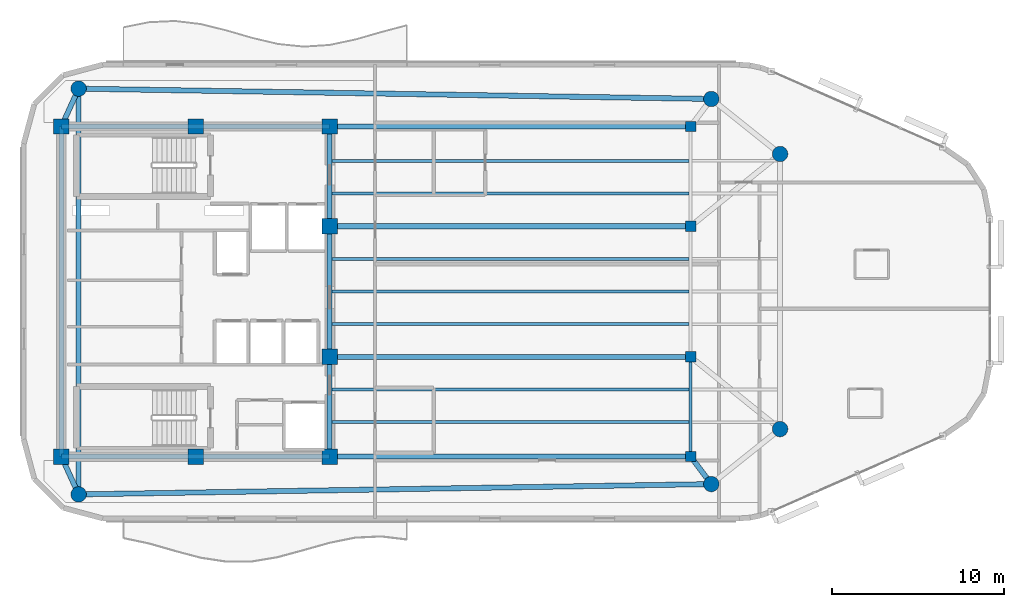
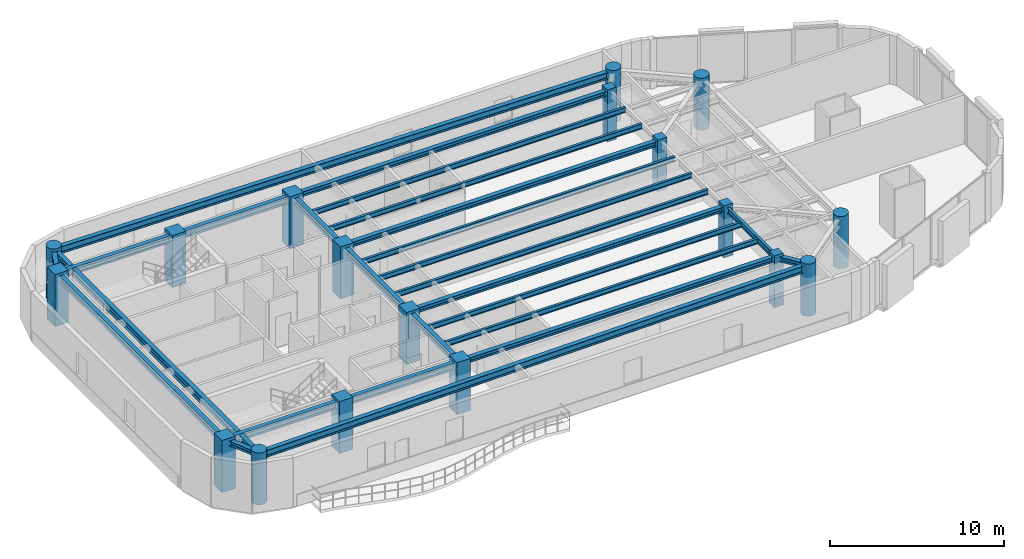
# One storey, part 1 of 12: 24 beams, 18 columns.
"""IFC4 building model written with IfcOpenShell, lengths in metres."""

from ifc_helpers import new_model, si_unit, direction, frame, origin, origin_2d, place, context, subcontext, project, spatial, rectangle, circle, i_section, extrude, material, material_profile, profile_set, type_object, element, save


model = new_model("IFC4")

# Units and contexts
model_context = context("Model", 3, precision=1e-05, world=origin(), true_north=direction((0.0, 1.0)))
body_context = subcontext(model_context, "Body", "Model", "MODEL_VIEW")
ifc_project = project(units=[si_unit("LENGTHUNIT", "METRE"), si_unit("AREAUNIT", "SQUARE_METRE"), si_unit("VOLUMEUNIT", "CUBIC_METRE"), si_unit("PLANEANGLEUNIT", "RADIAN"), si_unit("MASSUNIT", "GRAM", prefix="KILO")], contexts=[model_context])

# Site, building, storey
site_placement = place(None, origin())
site = spatial("IfcSite", under=ifc_project, at=site_placement, CompositionType="ELEMENT")
building_placement = place(site_placement, origin())
building = spatial("IfcBuilding", under=site, at=building_placement, Name="An Khanh Terracotta Commons", CompositionType="ELEMENT")
storey_placement = place(building_placement, frame((0.0, 0.0, 262.449951171875)))
storey = spatial("IfcBuildingStorey", under=building, at=storey_placement, Name="L68", CompositionType="ELEMENT", Elevation=262.449951171875)

# Columns
ifc_material_1 = material(Name="Concrete C50/60", Category="concrete")
ifc_material_profile_1 = material_profile(ifc_material_1, circle(Radius=0.449951171875, at=origin_2d()), Name="CFST900")
ifc_profile_set_1 = profile_set([ifc_material_profile_1], Name="Concrete C50/60")
column_type_1 = type_object("IfcColumnType", Name="COL-CFST900", PredefinedType="COLUMN", material=ifc_profile_set_1)
for number, where, z_axis, x_axis, name in (
    (1, (22.60009765625, 12.199951171875, 0.0), (0.0, 0.0, 1.0), (1.0, 0.0, 0.0), "L68 Perimeter CFST Mega-Column MC-01"),
    (2, (59.39990234375, 12.800048828125, 0.0), (0.0, 0.0, 1.0), (1.0, 0.0, 0.0), "L68 Perimeter CFST Mega-Column MC-02"),
    (3, (63.39990234375, 16.0, 0.0), (0.0, 0.0, 1.0), (1.0, 0.0, 0.0), "L68 Perimeter CFST Mega-Column MC-03"),
    (4, (63.39990234375, 32.0, 0.0), (0.0, 0.0, 1.0), (1.0, 0.0, 0.0), "L68 Perimeter CFST Mega-Column MC-04"),
    (5, (59.39990234375, 35.199951171875, 0.0), (0.0, 0.0, 1.0), (1.0, 0.0, 0.0), "L68 Perimeter CFST Mega-Column MC-05"),
    (6, (22.60009765625, 35.800048828125, 0.0), (0.0, 0.0, 1.0), (1.0, 0.0, 0.0), "L68 Perimeter CFST Mega-Column MC-06"),
):
    element("IfcColumn", number, at=place(storey_placement, frame(where, z_axis=z_axis, x_axis=x_axis)), inside=storey, type_object=column_type_1, Name=name, PredefinedType="COLUMN", context=body_context, shape_type="SweptSolid", body=[
        extrude(circle(Radius=0.449951171875, at=origin_2d()), origin(), (0.0, 0.0, 1.0), 3.650146484375),
    ])
ifc_material_profile_2 = material_profile(ifc_material_1, rectangle(XDim=0.60009765625, YDim=0.60009765625, at=origin_2d()), Name="RC600x600")
ifc_profile_set_2 = profile_set([ifc_material_profile_2], Name="Concrete C50/60")
column_type_2 = type_object("IfcColumnType", Name="COL-RC600x600", PredefinedType="COLUMN", material=ifc_profile_set_2)
for number, where, z_axis, x_axis, name in (
    (7, (58.199951171875, 14.39990234375, 0.0), (0.0, 0.0, 1.0), (1.0, 0.0, 0.0), "L68 Interior Frame Column TC-01"),
    (8, (58.199951171875, 20.199951171875, 0.0), (0.0, 0.0, 1.0), (1.0, 0.0, 0.0), "L68 Interior Frame Column TC-02"),
    (9, (58.199951171875, 27.800048828125, 0.0), (0.0, 0.0, 1.0), (1.0, 0.0, 0.0), "L68 Interior Frame Column TC-03"),
    (10, (58.199951171875, 33.60009765625, 0.0), (0.0, 0.0, 1.0), (1.0, 0.0, 0.0), "L68 Interior Frame Column TC-04"),
):
    element("IfcColumn", number, at=place(storey_placement, frame(where, z_axis=z_axis, x_axis=x_axis)), inside=storey, type_object=column_type_2, Name=name, PredefinedType="COLUMN", context=body_context, shape_type="SweptSolid", body=[
        extrude(rectangle(XDim=0.60009765625, YDim=0.60009765625, at=origin_2d()), origin(), (0.0, 0.0, 1.0), 3.650146484375),
    ])
ifc_material_profile_3 = material_profile(ifc_material_1, rectangle(XDim=0.89990234375, YDim=0.89990234375, at=origin_2d()), Name="RC900x900")
ifc_profile_set_3 = profile_set([ifc_material_profile_3], Name="Concrete C50/60")
column_type_3 = type_object("IfcColumnType", Name="COL-RC900x900", PredefinedType="COLUMN", material=ifc_profile_set_3)
for number, where, z_axis, x_axis, name in (
    (11, (21.60009765625, 14.39990234375, 0.0), (0.0, 0.0, 1.0), (1.0, 0.0, 0.0), "L68 Core Boundary Column CC-01"),
    (12, (29.39990234375, 14.39990234375, 0.0), (0.0, 0.0, 1.0), (1.0, 0.0, 0.0), "L68 Core Boundary Column CC-02"),
    (13, (37.199951171875, 14.39990234375, 0.0), (0.0, 0.0, 1.0), (1.0, 0.0, 0.0), "L68 Core Boundary Column CC-03"),
    (14, (37.199951171875, 20.199951171875, 0.0), (0.0, 0.0, 1.0), (1.0, 0.0, 0.0), "L68 Core Boundary Column CC-04"),
    (15, (37.199951171875, 27.800048828125, 0.0), (0.0, 0.0, 1.0), (1.0, 0.0, 0.0), "L68 Core Boundary Column CC-05"),
    (16, (37.199951171875, 33.60009765625, 0.0), (0.0, 0.0, 1.0), (1.0, 0.0, 0.0), "L68 Core Boundary Column CC-06"),
    (17, (29.39990234375, 33.60009765625, 0.0), (0.0, 0.0, 1.0), (1.0, 0.0, 0.0), "L68 Core Boundary Column CC-07"),
    (18, (21.60009765625, 33.60009765625, 0.0), (0.0, 0.0, 1.0), (1.0, 0.0, 0.0), "L68 Core Boundary Column CC-08"),
):
    element("IfcColumn", number, at=place(storey_placement, frame(where, z_axis=z_axis, x_axis=x_axis)), inside=storey, type_object=column_type_3, Name=name, PredefinedType="COLUMN", context=body_context, shape_type="SweptSolid", body=[
        extrude(rectangle(XDim=0.89990234375, YDim=0.89990234375, at=origin_2d()), origin(), (0.0, 0.0, 1.0), 3.650146484375),
    ])

# Beams
ifc_material_2 = material(Name="Steel S355J2", Category="steel")
ifc_material_profile_4 = material_profile(ifc_material_2, i_section(OverallWidth=0.300048828125, OverallDepth=0.340087890625, WebThickness=0.011962890625, FlangeThickness=0.021484375, FilletRadius=0.027099609375, at=origin_2d()), Name="HEB340")
ifc_profile_set_4 = profile_set([ifc_material_profile_4], Name="Steel S355J2")
beam_type_1 = type_object("IfcBeamType", Name="BM-HEB340", PredefinedType="BEAM", material=ifc_profile_set_4)
for number, where, z_axis, x_axis, name in (
    (19, (37.199951171875, 14.39990234375, 3.280029296875), (1.0, 0.0, 0.0), (0.0, 1.0, 0.0), "L68 East Primary Floor Girder 1"),
    (20, (37.199951171875, 20.199951171875, 3.280029296875), (1.0, 0.0, 0.0), (0.0, 1.0, 0.0), "L68 East Primary Floor Girder 2"),
    (21, (37.199951171875, 27.800048828125, 3.280029296875), (1.0, 0.0, 0.0), (0.0, 1.0, 0.0), "L68 East Primary Floor Girder 3"),
    (22, (37.199951171875, 33.60009765625, 3.280029296875), (1.0, 0.0, 0.0), (0.0, 1.0, 0.0), "L68 East Primary Floor Girder 4"),
):
    element("IfcBeam", number, at=place(storey_placement, frame(where, z_axis=z_axis, x_axis=x_axis)), inside=storey, type_object=beam_type_1, Name=name, PredefinedType="BEAM", context=body_context, shape_type="SweptSolid", body=[
        extrude(i_section(OverallWidth=0.300048828125, OverallDepth=0.340087890625, WebThickness=0.011962890625, FlangeThickness=0.021484375, FilletRadius=0.027099609375, at=origin_2d()), origin(), (0.0, 0.0, 1.0), 21.0),
    ])
beam_1_placement = place(storey_placement, frame((22.60009765625, 12.199951171875, 3.280029296875), z_axis=(-0.413810555983, 0.910363017569, 0.0), x_axis=(-0.910363017569, -0.413810555983, 0.0)))
element("IfcBeam", 23, at=beam_1_placement, inside=storey, type_object=beam_type_1, Name="L68 Mega-Column Tie Girder 1", PredefinedType="BEAM", context=body_context, shape_type="SweptSolid", body=[
    extrude(i_section(OverallWidth=0.300048828125, OverallDepth=0.340087890625, WebThickness=0.011962890625, FlangeThickness=0.021484375, FilletRadius=0.027099609375, at=origin_2d()), origin(), (0.0, 0.0, 1.0), 2.41650390625),
])
beam_2_placement = place(storey_placement, frame((59.39990234375, 12.800048828125, 3.280029296875), z_axis=(-0.600019532502, 0.799985350251, 0.0), x_axis=(-0.799985350251, -0.600019532502, 0.0)))
element("IfcBeam", 24, at=beam_2_placement, inside=storey, type_object=beam_type_1, Name="L68 Mega-Column Tie Girder 2", PredefinedType="BEAM", context=body_context, shape_type="SweptSolid", body=[
    extrude(i_section(OverallWidth=0.300048828125, OverallDepth=0.340087890625, WebThickness=0.011962890625, FlangeThickness=0.021484375, FilletRadius=0.027099609375, at=origin_2d()), origin(), (0.0, 0.0, 1.0), 1.999755859375),
])
beam_3_placement = place(storey_placement, frame((22.60009765625, 35.800048828125, 3.280029296875), z_axis=(-0.413810555983, -0.910363017569, 0.0), x_axis=(0.910363017569, -0.413810555983, 0.0)))
element("IfcBeam", 25, at=beam_3_placement, inside=storey, type_object=beam_type_1, Name="L68 Mega-Column Tie Girder 6", PredefinedType="BEAM", context=body_context, shape_type="SweptSolid", body=[
    extrude(i_section(OverallWidth=0.300048828125, OverallDepth=0.340087890625, WebThickness=0.011962890625, FlangeThickness=0.021484375, FilletRadius=0.027099609375, at=origin_2d()), origin(), (0.0, 0.0, 1.0), 2.41650390625),
])
ifc_material_profile_5 = material_profile(ifc_material_2, i_section(OverallWidth=0.300048828125, OverallDepth=0.449951171875, WebThickness=0.013916015625, FlangeThickness=0.02587890625, FilletRadius=0.027099609375, at=origin_2d()), Name="HEB450")
ifc_profile_set_5 = profile_set([ifc_material_profile_5], Name="Steel S355J2")
beam_type_2 = type_object("IfcBeamType", Name="BM-HEB450", PredefinedType="BEAM", material=ifc_profile_set_5)
beam_4_placement = place(storey_placement, frame((37.199951171875, 14.39990234375, 3.22509765625), z_axis=(0.0, 1.0, 0.0), x_axis=(-1.0, 0.0, 0.0)))
element("IfcBeam", 26, at=beam_4_placement, inside=storey, type_object=beam_type_2, Name="L68 Core East Coupling Girder 1", PredefinedType="BEAM", context=body_context, shape_type="SweptSolid", body=[
    extrude(i_section(OverallWidth=0.300048828125, OverallDepth=0.449951171875, WebThickness=0.013916015625, FlangeThickness=0.02587890625, FilletRadius=0.027099609375, at=origin_2d()), origin(), (0.0, 0.0, 1.0), 5.800048828125),
])
beam_5_placement = place(storey_placement, frame((37.199951171875, 20.199951171875, 3.22509765625), z_axis=(0.0, 1.0, 0.0), x_axis=(-1.0, 0.0, 0.0)))
element("IfcBeam", 27, at=beam_5_placement, inside=storey, type_object=beam_type_2, Name="L68 Core East Coupling Girder 2", PredefinedType="BEAM", context=body_context, shape_type="SweptSolid", body=[
    extrude(i_section(OverallWidth=0.300048828125, OverallDepth=0.449951171875, WebThickness=0.013916015625, FlangeThickness=0.02587890625, FilletRadius=0.027099609375, at=origin_2d()), origin(), (0.0, 0.0, 1.0), 7.60009765625),
])
beam_6_placement = place(storey_placement, frame((37.199951171875, 27.800048828125, 3.22509765625), z_axis=(0.0, 1.0, 0.0), x_axis=(-1.0, 0.0, 0.0)))
element("IfcBeam", 28, at=beam_6_placement, inside=storey, type_object=beam_type_2, Name="L68 Core East Coupling Girder 3", PredefinedType="BEAM", context=body_context, shape_type="SweptSolid", body=[
    extrude(i_section(OverallWidth=0.300048828125, OverallDepth=0.449951171875, WebThickness=0.013916015625, FlangeThickness=0.02587890625, FilletRadius=0.027099609375, at=origin_2d()), origin(), (0.0, 0.0, 1.0), 5.800048828125),
])
beam_7_placement = place(storey_placement, frame((21.60009765625, 14.39990234375, 3.22509765625), z_axis=(0.0, 1.0, 0.0), x_axis=(-1.0, 0.0, 0.0)))
element("IfcBeam", 29, at=beam_7_placement, inside=storey, type_object=beam_type_2, Name="L68 Core West Coupling Girder", PredefinedType="BEAM", context=body_context, shape_type="SweptSolid", body=[
    extrude(i_section(OverallWidth=0.300048828125, OverallDepth=0.449951171875, WebThickness=0.013916015625, FlangeThickness=0.02587890625, FilletRadius=0.027099609375, at=origin_2d()), origin(), (0.0, 0.0, 1.0), 19.2001953125),
])
ifc_material_profile_6 = material_profile(ifc_material_2, i_section(OverallWidth=0.300048828125, OverallDepth=0.5, WebThickness=0.014404296875, FlangeThickness=0.028076171875, FilletRadius=0.027099609375, at=origin_2d()), Name="HEB500")
ifc_profile_set_6 = profile_set([ifc_material_profile_6], Name="Steel S355J2")
beam_type_3 = type_object("IfcBeamType", Name="BM-HEB500", PredefinedType="BEAM", material=ifc_profile_set_6)
for number, where, z_axis, x_axis, name in (
    (30, (21.60009765625, 14.39990234375, 3.199951171875), (1.0, 0.0, 0.0), (0.0, 1.0, 0.0), "L68 Core South Coupling Girder"),
    (31, (21.60009765625, 33.60009765625, 3.199951171875), (1.0, 0.0, 0.0), (0.0, 1.0, 0.0), "L68 Core North Coupling Girder"),
):
    element("IfcBeam", number, at=place(storey_placement, frame(where, z_axis=z_axis, x_axis=x_axis)), inside=storey, type_object=beam_type_3, Name=name, PredefinedType="BEAM", context=body_context, shape_type="SweptSolid", body=[
        extrude(i_section(OverallWidth=0.300048828125, OverallDepth=0.5, WebThickness=0.014404296875, FlangeThickness=0.028076171875, FilletRadius=0.027099609375, at=origin_2d()), origin(), (0.0, 0.0, 1.0), 15.599853515625),
    ])
for number, where, z_axis, x_axis, name in (
    (32, (22.60009765625, 12.199951171875, 3.199951171875), (0.999867065951, 0.01630492031, 0.0), (-0.01630492031, 0.999867065951, 0.0), "L68 Perimeter Ring Spandrel 1"),
    (33, (59.39990234375, 35.199951171875, 3.199951171875), (-0.999867065951, 0.01630492031, 0.0), (-0.01630492031, -0.999867065951, 0.0), "L68 Perimeter Ring Spandrel 5"),
):
    element("IfcBeam", number, at=place(storey_placement, frame(where, z_axis=z_axis, x_axis=x_axis)), inside=storey, type_object=beam_type_3, Name=name, PredefinedType="BEAM", context=body_context, shape_type="SweptSolid", body=[
        extrude(i_section(OverallWidth=0.300048828125, OverallDepth=0.5, WebThickness=0.014404296875, FlangeThickness=0.028076171875, FilletRadius=0.027099609375, at=origin_2d()), origin(), (0.0, 0.0, 1.0), 36.8046875),
    ])
beam_8_placement = place(storey_placement, frame((22.60009765625, 35.800048828125, 3.199951171875), z_axis=(0.0, -1.0, 0.0), x_axis=(1.0, 0.0, 0.0)))
element("IfcBeam", 34, at=beam_8_placement, inside=storey, type_object=beam_type_3, Name="L68 Perimeter Ring Spandrel 6", PredefinedType="BEAM", context=body_context, shape_type="SweptSolid", body=[
    extrude(i_section(OverallWidth=0.300048828125, OverallDepth=0.5, WebThickness=0.014404296875, FlangeThickness=0.028076171875, FilletRadius=0.027099609375, at=origin_2d()), origin(), (0.0, 0.0, 1.0), 23.60009765625),
])
ifc_material_profile_7 = material_profile(ifc_material_2, i_section(OverallWidth=0.169921875, OverallDepth=0.360107421875, WebThickness=0.008056640625, FlangeThickness=0.0126953125, FilletRadius=0.01806640625, at=origin_2d()), Name="IPE360")
ifc_profile_set_7 = profile_set([ifc_material_profile_7], Name="Steel S355J2")
beam_type_4 = type_object("IfcBeamType", Name="BM-IPE360", PredefinedType="JOIST", material=ifc_profile_set_7)
for number, where, z_axis, x_axis, name in (
    (35, (37.199951171875, 16.39990234375, 3.27001953125), (1.0, 0.0, 0.0), (0.0, 1.0, 0.0), "L68 Inboard Composite Joist 1"),
    (36, (37.199951171875, 18.300048828125, 3.27001953125), (1.0, 0.0, 0.0), (0.0, 1.0, 0.0), "L68 Inboard Composite Joist 2"),
    (37, (37.199951171875, 22.10009765625, 3.27001953125), (1.0, 0.0, 0.0), (0.0, 1.0, 0.0), "L68 Inboard Composite Joist 3"),
    (38, (37.199951171875, 24.0, 3.27001953125), (1.0, 0.0, 0.0), (0.0, 1.0, 0.0), "L68 Inboard Composite Joist 4"),
    (39, (37.199951171875, 25.89990234375, 3.27001953125), (1.0, 0.0, 0.0), (0.0, 1.0, 0.0), "L68 Inboard Composite Joist 5"),
    (40, (37.199951171875, 29.699951171875, 3.27001953125), (1.0, 0.0, 0.0), (0.0, 1.0, 0.0), "L68 Inboard Composite Joist 6"),
    (41, (37.199951171875, 31.60009765625, 3.27001953125), (1.0, 0.0, 0.0), (0.0, 1.0, 0.0), "L68 Inboard Composite Joist 7"),
):
    element("IfcBeam", number, at=place(storey_placement, frame(where, z_axis=z_axis, x_axis=x_axis)), inside=storey, type_object=beam_type_4, Name=name, PredefinedType="JOIST", context=body_context, shape_type="SweptSolid", body=[
        extrude(i_section(OverallWidth=0.169921875, OverallDepth=0.360107421875, WebThickness=0.008056640625, FlangeThickness=0.0126953125, FilletRadius=0.01806640625, at=origin_2d()), origin(), (0.0, 0.0, 1.0), 20.91015625),
    ])
ifc_material_profile_8 = material_profile(ifc_material_2, i_section(OverallWidth=0.179931640625, OverallDepth=0.39990234375, WebThickness=0.008544921875, FlangeThickness=0.013427734375, FilletRadius=0.02099609375, at=origin_2d()), Name="IPE400")
ifc_profile_set_8 = profile_set([ifc_material_profile_8], Name="Steel S355J2")
beam_type_5 = type_object("IfcBeamType", Name="BM-IPE400", PredefinedType="JOIST", material=ifc_profile_set_8)
beam_9_placement = place(storey_placement, frame((58.199951171875, 14.550048828125, 3.25), z_axis=(0.0, 1.0, 0.0), x_axis=(-1.0, 0.0, 0.0)))
element("IfcBeam", 42, at=beam_9_placement, inside=storey, type_object=beam_type_5, Name="L68 East Spine Girder 1", PredefinedType="JOIST", context=body_context, shape_type="SweptSolid", body=[
    extrude(i_section(OverallWidth=0.179931640625, OverallDepth=0.39990234375, WebThickness=0.008544921875, FlangeThickness=0.013427734375, FilletRadius=0.02099609375, at=origin_2d()), origin(), (0.0, 0.0, 1.0), 5.5),
])

save(model, "model.ifc")
